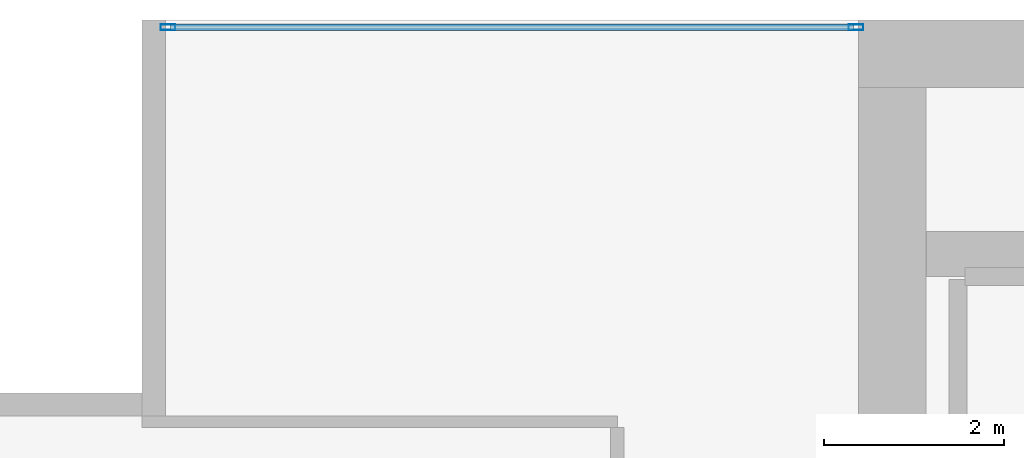
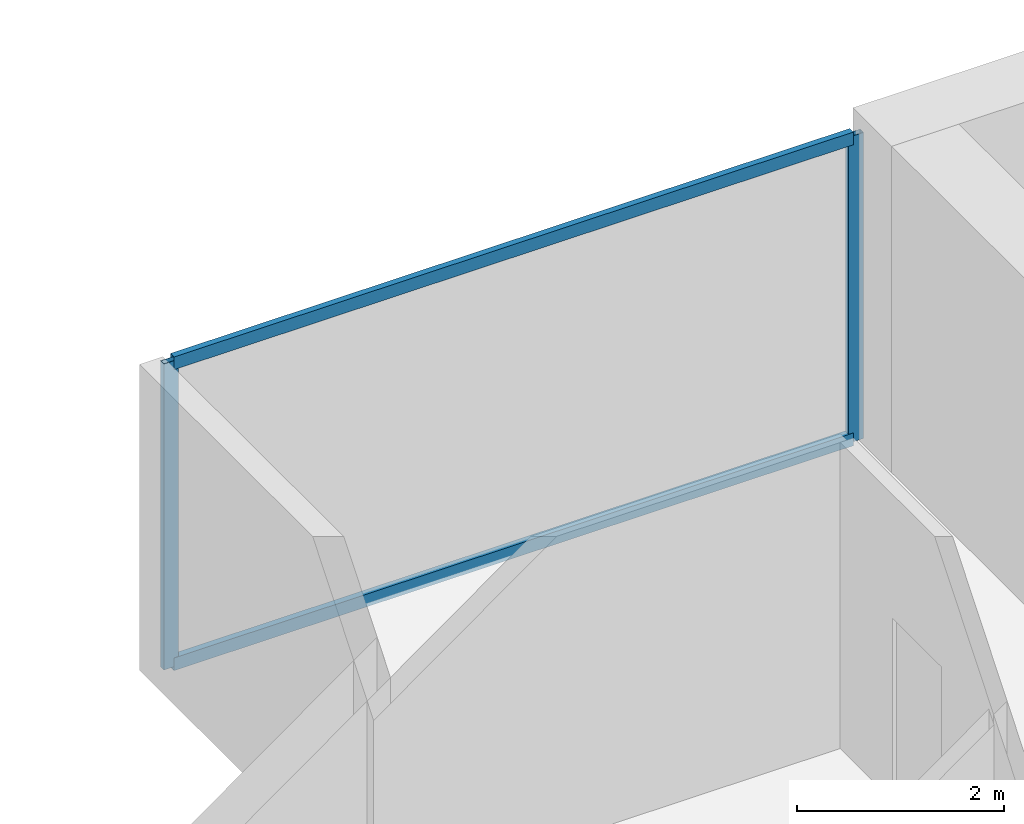
# One storey, part 22 of 34: 4 members, 1 element without a shape of its own.
"""IFC4 building model written with IfcOpenShell, lengths in metres."""

from ifc_helpers import new_model, si_unit, direction, frame, origin, origin_2d, place, context, subcontext, project, spatial, hollow_rectangle, extrude, material, layer, layer_set, material_profile, profile_set, type_object, element, aggregate, save


model = new_model("IFC4")

# Units and contexts
model_context = context("Model", 3, precision=1e-05, world=origin(), true_north=direction((0.0, 1.0)))
body_context = subcontext(model_context, "Body", "Model", "MODEL_VIEW")
ifc_project = project(units=[si_unit("LENGTHUNIT", "METRE"), si_unit("AREAUNIT", "SQUARE_METRE"), si_unit("VOLUMEUNIT", "CUBIC_METRE"), si_unit("PLANEANGLEUNIT", "RADIAN"), si_unit("MASSUNIT", "GRAM", prefix="KILO")], contexts=[model_context])

# Site, building, storey
site_placement = place(None, origin())
site = spatial("IfcSite", under=ifc_project, at=site_placement, CompositionType="ELEMENT")
building_placement = place(site_placement, origin())
building = spatial("IfcBuilding", under=site, at=building_placement, Name="Maruvema Waterfront Hotel and Observation Tower", CompositionType="ELEMENT")
storey_placement = place(building_placement, frame((0.0, 0.0, 212.10009765625)))
storey = spatial("IfcBuildingStorey", under=building, at=storey_placement, Name="L52", CompositionType="ELEMENT", Elevation=212.10009765625)

# Curtain wall, members
ifc_material_1 = material(Name="Anodised bronze aluminium and solar-control low-E IGU", Category="aluminium")
ifc_layer = layer(ifc_material_1, 0.159912109375, Name="Zone 2 Amber Inner Thermal Curtain Wall System CW-03")
ifc_layer_set = layer_set([ifc_layer], Name="Anodised bronze aluminium and solar-control low-E IGU")
curtain_wall_type = type_object("IfcCurtainWallType", Name="Zone 2 Amber Inner Thermal Curtain Wall System CW-03", PredefinedType="USERDEFINED", material=ifc_layer_set)
curtain_wall_placement = place(storey_placement, origin())
curtain_wall = element("IfcCurtainWall", 1, at=curtain_wall_placement, inside=storey, type_object=curtain_wall_type, Name="L52 Curtain Wall CW-L52-NW", ObjectType="UNITISED CURTAIN WALL", PredefinedType="USERDEFINED")
ifc_material_2 = material(Name="Anodised architectural bronze aluminium", Category="aluminium")
ifc_material_profile_1 = material_profile(ifc_material_2, hollow_rectangle(XDim=0.070068359375, YDim=0.14990234375, WallThickness=0.00390625, at=origin_2d()), Name="ALU-T70x150")
ifc_profile_set_1 = profile_set([ifc_material_profile_1], Name="Anodised architectural bronze aluminium")
member_type_1 = type_object("IfcMemberType", Name="Curtain Wall Horizontal Transom ALU-T70x150", PredefinedType="USERDEFINED", material=ifc_profile_set_1)
member_1_placement = place(storey_placement, frame((25.139892578125, 53.919921875, 0.02978515625), z_axis=(-1.0, 0.0, 0.0), x_axis=(0.0, -1.0, 0.0)))
member_1 = element("IfcMember", 2, at=member_1_placement, type_object=member_type_1, Name="CW-03 transom 1.1", ObjectType="TRANSOM", PredefinedType="USERDEFINED", context=body_context, shape_type="SweptSolid", body=[
    extrude(hollow_rectangle(XDim=0.070068359375, YDim=0.14990234375, WallThickness=0.00390625, at=origin_2d()), origin(), (0.0, 0.0, 1.0), 7.579833984375),
])
member_2_placement = place(storey_placement, frame((25.139892578125, 53.919921875, 3.579833984375), z_axis=(-1.0, 0.0, 0.0), x_axis=(0.0, -1.0, 0.0)))
member_2 = element("IfcMember", 3, at=member_2_placement, type_object=member_type_1, Name="CW-03 transom 1.2", ObjectType="TRANSOM", PredefinedType="USERDEFINED", context=body_context, shape_type="SweptSolid", body=[
    extrude(hollow_rectangle(XDim=0.070068359375, YDim=0.14990234375, WallThickness=0.00390625, at=origin_2d()), origin(), (0.0, 0.0, 1.0), 7.579833984375),
])
ifc_material_3 = material(Name="Anodised architectural bronze aluminium", Category="aluminium")
ifc_material_profile_2 = material_profile(ifc_material_3, hollow_rectangle(XDim=0.06494140625, YDim=0.1650390625, WallThickness=0.00390625, at=origin_2d()), Name="ALU-M65x165")
ifc_profile_set_2 = profile_set([ifc_material_profile_2], Name="Anodised architectural bronze aluminium")
member_type_2 = type_object("IfcMemberType", Name="Curtain Wall Primary Mullion ALU-M65x165", PredefinedType="MULLION", material=ifc_profile_set_2)
member_3_placement = place(storey_placement, frame((25.169921875, 53.919921875, 0.0), z_axis=(0.0, 0.0, 1.0), x_axis=(0.0, -1.0, 0.0)))
member_3 = element("IfcMember", 4, at=member_3_placement, type_object=member_type_2, Name="CW-03 mullion 1", PredefinedType="MULLION", context=body_context, shape_type="SweptSolid", body=[
    extrude(hollow_rectangle(XDim=0.06494140625, YDim=0.1650390625, WallThickness=0.00390625, at=origin_2d()), origin(), (0.0, 0.0, 1.0), 3.60986328125),
])
member_4_placement = place(storey_placement, frame((17.530029296875, 53.919921875, 0.0), z_axis=(0.0, 0.0, 1.0), x_axis=(0.0, -1.0, 0.0)))
member_4 = element("IfcMember", 5, at=member_4_placement, type_object=member_type_2, Name="CW-03 mullion 2", PredefinedType="MULLION", context=body_context, shape_type="SweptSolid", body=[
    extrude(hollow_rectangle(XDim=0.06494140625, YDim=0.1650390625, WallThickness=0.00390625, at=origin_2d()), origin(), (0.0, 0.0, 1.0), 3.60986328125),
])
aggregate(curtain_wall, [member_3, member_4, member_1, member_2])

save(model, "model.ifc")
